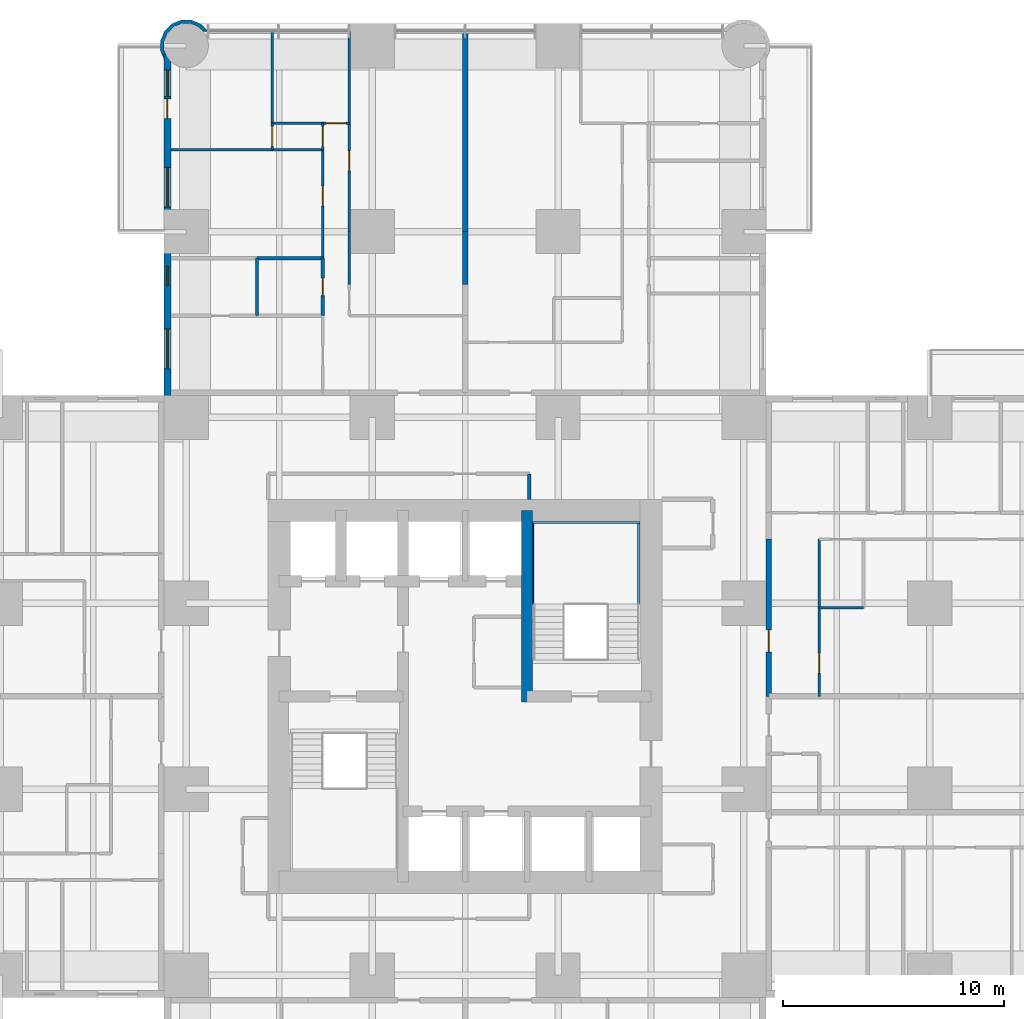
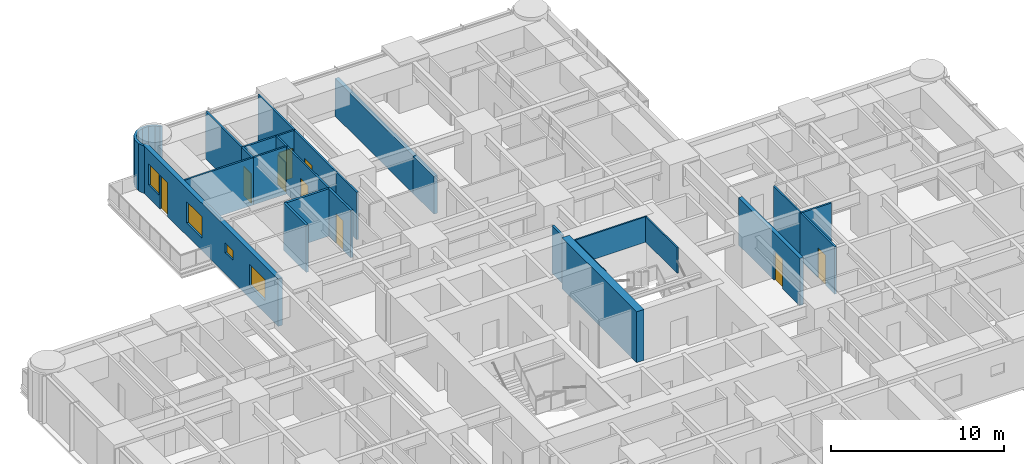
# One storey, part 13 of 17: 27 walls, 9 doors, 4 windows, 13 openings.
"""IFC4 building model written with IfcOpenShell, lengths in metres."""

from ifc_helpers import new_model, si_unit, direction, frame, frame_2d, origin, place, context, subcontext, project, spatial, polyline, rectangle, outline, extrude, material, layer, layer_set, type_object, element, fill, save


model = new_model("IFC4")

# Units and contexts
model_context = context("Model", 3, precision=1e-05, world=origin(), true_north=direction((0.0, 1.0)))
body_context = subcontext(model_context, "Body", "Model", "MODEL_VIEW")
ifc_project = project(units=[si_unit("LENGTHUNIT", "METRE"), si_unit("AREAUNIT", "SQUARE_METRE"), si_unit("VOLUMEUNIT", "CUBIC_METRE"), si_unit("PLANEANGLEUNIT", "RADIAN"), si_unit("MASSUNIT", "GRAM", prefix="KILO")], contexts=[model_context])

# Site, building, storey
site_placement = place(None, origin())
site = spatial("IfcSite", under=ifc_project, at=site_placement, CompositionType="ELEMENT")
building_placement = place(site_placement, origin())
building = spatial("IfcBuilding", under=site, at=building_placement, Name="Torre Alcanfor", CompositionType="ELEMENT")
storey_placement = place(building_placement, frame((0.0, 0.0, 99.300048828125)))
storey = spatial("IfcBuildingStorey", under=building, at=storey_placement, Name="L25", CompositionType="ELEMENT", Elevation=99.300048828125)

# Wall, opening, door
ifc_material_1 = material(Name="Concrete block masonry, hollow blocks NMX-C-404 9 MPa", Category="masonry")
ifc_layer_1 = layer(ifc_material_1, 0.25)
ifc_layer_set_1 = layer_set([ifc_layer_1], Name="Apartment entrance wall 250 EI 60")
wall_type_1 = type_object("IfcWallType", Name="Apartment entrance wall 250 EI 60", PredefinedType="PARTITIONING", material=ifc_layer_set_1)
wall_1_placement = place(storey_placement, frame((43.125, 36.5, 0.0), z_axis=(0.0, 0.0, 1.0), x_axis=(0.0, -1.0, 0.0)))
wall_1 = element("IfcWall", 1, at=wall_1_placement, inside=storey, type_object=wall_type_1, Name="Partition L25-CORR / L25-E1-ZAG", PredefinedType="PARTITIONING", context=body_context, shape_type="SweptSolid", body=[
    extrude(rectangle(XDim=7.10009765625, YDim=0.25, at=frame_2d((3.550048828125, 0.0))), origin(), (0.0, 0.0, 1.0), 3.349853515625),
])
opening_1_placement = place(wall_1_placement, frame((4.10009765625, 0.0, 0.0)))
opening_1 = element("IfcOpeningElement", 2, at=opening_1_placement, cuts=wall_1, Name="Opening D-A1", PredefinedType="OPENING", context=body_context, shape_type="SweptSolid", body=[
    extrude(rectangle(XDim=1.0, YDim=2.10009765625, at=frame_2d((0.5, 1.050048828125))), frame((0.0, 0.135009765625, 0.0), z_axis=(0.0, -1.0, 0.0), x_axis=(1.0, 0.0, 0.0)), (0.0, 0.0, 1.0), 0.27001953125),
])
ifc_material_2 = material(Name="Galvanised steel sheet ASTM A653", Category="steel")
door_type_1 = type_object("IfcDoorType", Name="Apartment entrance door FD60 1000x2100", OperationType="SINGLE_SWING_LEFT", PredefinedType="DOOR", material=ifc_material_2)
door_1_placement = place(opening_1_placement, origin())
door_1 = element("IfcDoor", 3, at=door_1_placement, inside=storey, type_object=door_type_1, Name="Apartment entrance L25-E1", OperationType="SINGLE_SWING_RIGHT", OverallHeight=2.10009765625, OverallWidth=1.0, PredefinedType="DOOR", context=body_context, shape_type="SweptSolid", body=[
    extrude(rectangle(XDim=1.0, YDim=2.10009765625, at=frame_2d((0.5, 1.050048828125))), frame((0.0, 0.02490234375, 0.0), z_axis=(0.0, -1.0, 0.0), x_axis=(1.0, 0.0, 0.0)), (0.0, 0.0, 1.0), 0.050048828125),
])
fill(opening_1, door_1)

# Wall
ifc_material_3 = material(Name="Gypsum board on steel studs", Category="steel")
ifc_layer_2 = layer(ifc_material_3, 0.1201171875)
ifc_layer_set_2 = layer_set([ifc_layer_2], Name="Apartment partition 120")
wall_type_2 = type_object("IfcWallType", Name="Apartment partition 120", PredefinedType="PARTITIONING", material=ifc_layer_set_2)
wall_2_placement = place(storey_placement, frame((24.1708984375, 50.39990234375, 0.0), z_axis=(0.0, 0.0, 1.0), x_axis=(0.0, -1.0, 0.0)))
element("IfcWall", 4, at=wall_2_placement, inside=storey, type_object=wall_type_2, Name="Partition L25-N1-KITCHEN / L25-N1-HALL", PredefinedType="PARTITIONING", context=body_context, shape_type="SweptSolid", body=[
    extrude(rectangle(XDim=2.39990234375, YDim=0.1201171875, at=frame_2d((1.199951171875, 0.0))), origin(), (0.0, 0.0, 1.0), 3.349853515625),
])

# Wall, opening, door
wall_3_placement = place(storey_placement, frame((24.1708984375, 55.300048828125, 0.0), z_axis=(0.0, 0.0, 1.0), x_axis=(0.0, -1.0, 0.0)))
wall_3 = element("IfcWall", 5, at=wall_3_placement, inside=storey, type_object=wall_type_2, Name="Partition L25-N1-LIVING / L25-N1-HALL", PredefinedType="PARTITIONING", context=body_context, shape_type="SweptSolid", body=[
    extrude(rectangle(XDim=4.900146484375, YDim=0.1201171875, at=frame_2d((2.4501953125, 0.0))), origin(), (0.0, 0.0, 1.0), 3.349853515625),
])
opening_2_placement = place(wall_3_placement, frame((1.25, 0.0, 0.0)))
opening_2 = element("IfcOpeningElement", 6, at=opening_2_placement, cuts=wall_3, Name="Opening D-R1", PredefinedType="OPENING", context=body_context, shape_type="SweptSolid", body=[
    extrude(rectangle(XDim=0.89990234375, YDim=2.10009765625, at=frame_2d((0.449951171875, 1.050048828125))), frame((0.0, 0.070068359375, 0.0), z_axis=(0.0, -1.0, 0.0), x_axis=(1.0, 0.0, 0.0)), (0.0, 0.0, 1.0), 0.14013671875),
])
ifc_material_4 = material(Name="Timber", Category="wood")
door_type_2 = type_object("IfcDoorType", Name="Internal door 900x2100", OperationType="SINGLE_SWING_LEFT", PredefinedType="DOOR", material=ifc_material_4)
door_2_placement = place(opening_2_placement, origin())
door_2 = element("IfcDoor", 7, at=door_2_placement, inside=storey, type_object=door_type_2, Name="Door L25-N1 living", OperationType="SINGLE_SWING_RIGHT", OverallHeight=2.10009765625, OverallWidth=0.89990234375, PredefinedType="DOOR", context=body_context, shape_type="SweptSolid", body=[
    extrude(rectangle(XDim=0.89990234375, YDim=2.10009765625, at=frame_2d((0.449951171875, 1.050048828125))), frame((0.0, 0.02490234375, 0.0), z_axis=(0.0, -1.0, 0.0), x_axis=(1.0, 0.0, 0.0)), (0.0, 0.0, 1.0), 0.050048828125),
])
fill(opening_2, door_2)

# Wall
wall_4_placement = place(storey_placement, frame((24.1708984375, 59.449951171875, 0.0), z_axis=(0.0, 0.0, 1.0), x_axis=(0.0, -1.0, 0.0)))
element("IfcWall", 8, at=wall_4_placement, inside=storey, type_object=wall_type_2, Name="Partition L25-N1-LIVING / L25-N1-BED2", PredefinedType="PARTITIONING", context=body_context, shape_type="SweptSolid", body=[
    extrude(rectangle(XDim=4.14990234375, YDim=0.1201171875, at=frame_2d((2.074951171875, 0.0))), origin(), (0.0, 0.0, 1.0), 3.349853515625),
])

# Wall, opening, door
wall_5_placement = place(storey_placement, frame((22.970947265625, 54.10009765625, 0.0), z_axis=(0.0, 0.0, 1.0), x_axis=(0.0, -1.0, 0.0)))
wall_5 = element("IfcWall", 9, at=wall_5_placement, inside=storey, type_object=wall_type_2, Name="Partition L25-N1-HALL / L25-N1-BED3", PredefinedType="PARTITIONING", context=body_context, shape_type="SweptSolid", body=[
    extrude(rectangle(XDim=4.900146484375, YDim=0.1201171875, at=frame_2d((2.4501953125, 0.0))), origin(), (0.0, 0.0, 1.0), 3.349853515625),
])
opening_3_placement = place(wall_5_placement, frame((1.64990234375, 0.0, 0.0)))
opening_3 = element("IfcOpeningElement", 10, at=opening_3_placement, cuts=wall_5, Name="Opening D-R1", PredefinedType="OPENING", context=body_context, shape_type="SweptSolid", body=[
    extrude(rectangle(XDim=0.89990234375, YDim=2.10009765625, at=frame_2d((0.449951171875, 1.050048828125))), frame((0.0, 0.070068359375, 0.0), z_axis=(0.0, -1.0, 0.0), x_axis=(1.0, 0.0, 0.0)), (0.0, 0.0, 1.0), 0.14013671875),
])
door_3_placement = place(opening_3_placement, frame((0.89990234375, 0.0, 0.0), z_axis=(0.0, 0.0, 1.0), x_axis=(-1.0, 0.0, 0.0)))
door_3 = element("IfcDoor", 11, at=door_3_placement, inside=storey, type_object=door_type_2, Name="Door L25-N1 bed3", OperationType="SINGLE_SWING_RIGHT", OverallHeight=2.10009765625, OverallWidth=0.89990234375, PredefinedType="DOOR", context=body_context, shape_type="SweptSolid", body=[
    extrude(rectangle(XDim=0.89990234375, YDim=2.10009765625, at=frame_2d((0.449951171875, 1.050048828125))), frame((0.0, 0.025146484375, 0.0), z_axis=(0.0, -1.0, 0.0), x_axis=(1.0, 0.0, 0.0)), (0.0, 0.0, 1.0), 0.050048828125),
])
fill(opening_3, door_3)

wall_6_placement = place(storey_placement, frame((22.970947265625, 55.300048828125, 0.0), z_axis=(0.0, 0.0, 1.0), x_axis=(0.0, -1.0, 0.0)))
wall_6 = element("IfcWall", 12, at=wall_6_placement, inside=storey, type_object=wall_type_2, Name="Partition L25-N1-HALL / L25-N1-VEST", PredefinedType="PARTITIONING", context=body_context, shape_type="SweptSolid", body=[
    extrude(rectangle(XDim=1.199951171875, YDim=0.1201171875, at=frame_2d((0.60009765625, 0.0))), origin(), (0.0, 0.0, 1.0), 3.349853515625),
])
opening_4_placement = place(wall_6_placement, frame((0.14990234375, 0.0, 0.0)))
opening_4 = element("IfcOpeningElement", 13, at=opening_4_placement, cuts=wall_6, Name="Opening D-R1", PredefinedType="OPENING", context=body_context, shape_type="SweptSolid", body=[
    extrude(rectangle(XDim=0.89990234375, YDim=2.10009765625, at=frame_2d((0.449951171875, 1.050048828125))), frame((0.0, 0.070068359375, 0.0), z_axis=(0.0, -1.0, 0.0), x_axis=(1.0, 0.0, 0.0)), (0.0, 0.0, 1.0), 0.14013671875),
])
door_4_placement = place(opening_4_placement, frame((0.89990234375, 0.0, 0.0), z_axis=(0.0, 0.0, 1.0), x_axis=(-1.0, 0.0, 0.0)))
door_4 = element("IfcDoor", 14, at=door_4_placement, inside=storey, type_object=door_type_2, Name="Door L25-N1 vest", OperationType="SINGLE_SWING_RIGHT", OverallHeight=2.10009765625, OverallWidth=0.89990234375, PredefinedType="DOOR", context=body_context, shape_type="SweptSolid", body=[
    extrude(rectangle(XDim=0.89990234375, YDim=2.10009765625, at=frame_2d((0.449951171875, 1.050048828125))), frame((0.0, 0.025146484375, 0.0), z_axis=(0.0, -1.0, 0.0), x_axis=(1.0, 0.0, 0.0)), (0.0, 0.0, 1.0), 0.050048828125),
])
fill(opening_4, door_4)

wall_7_placement = place(storey_placement, frame((24.1708984375, 55.300048828125, 0.0), z_axis=(0.0, 0.0, 1.0), x_axis=(-1.0, 0.0, 0.0)))
wall_7 = element("IfcWall", 15, at=wall_7_placement, inside=storey, type_object=wall_type_2, Name="Partition L25-N1-HALL / L25-N1-BED2", PredefinedType="PARTITIONING", context=body_context, shape_type="SweptSolid", body=[
    extrude(rectangle(XDim=1.199951171875, YDim=0.1201171875, at=frame_2d((0.60009765625, 0.0))), origin(), (0.0, 0.0, 1.0), 3.349853515625),
])
opening_5_placement = place(wall_7_placement, frame((0.15087890625, 0.0, 0.0)))
opening_5 = element("IfcOpeningElement", 16, at=opening_5_placement, cuts=wall_7, Name="Opening D-R1", PredefinedType="OPENING", context=body_context, shape_type="SweptSolid", body=[
    extrude(rectangle(XDim=0.89990234375, YDim=2.10009765625, at=frame_2d((0.449951171875, 1.050048828125))), frame((0.0, 0.070068359375, 0.0), z_axis=(0.0, -1.0, 0.0), x_axis=(1.0, 0.0, 0.0)), (0.0, 0.0, 1.0), 0.14013671875),
])
door_5_placement = place(opening_5_placement, frame((0.89990234375, 0.0, 0.0), z_axis=(0.0, 0.0, 1.0), x_axis=(-1.0, 0.0, 0.0)))
door_5 = element("IfcDoor", 17, at=door_5_placement, inside=storey, type_object=door_type_2, Name="Door L25-N1 bed2", OperationType="SINGLE_SWING_RIGHT", OverallHeight=2.10009765625, OverallWidth=0.89990234375, PredefinedType="DOOR", context=body_context, shape_type="SweptSolid", body=[
    extrude(rectangle(XDim=0.89990234375, YDim=2.10009765625, at=frame_2d((0.449951171875, 1.050048828125))), frame((0.0, 0.025146484375, 0.0), z_axis=(0.0, -1.0, 0.0), x_axis=(1.0, 0.0, 0.0)), (0.0, 0.0, 1.0), 0.050048828125),
])
fill(opening_5, door_5)

# Walls
wall_8_placement = place(storey_placement, frame((22.970947265625, 54.10009765625, 0.0), z_axis=(0.0, 0.0, 1.0), x_axis=(-1.0, 0.0, 0.0)))
element("IfcWall", 18, at=wall_8_placement, inside=storey, type_object=wall_type_2, Name="Partition L25-N1-BED3 / L25-N1-VEST", PredefinedType="PARTITIONING", context=body_context, shape_type="SweptSolid", body=[
    extrude(rectangle(XDim=2.284912109375, YDim=0.1201171875, at=frame_2d((1.142578125, 0.0))), origin(), (0.0, 0.0, 1.0), 3.349853515625),
])
wall_9_placement = place(storey_placement, frame((20.68603515625, 54.10009765625, 0.0), z_axis=(0.0, 0.0, 1.0), x_axis=(-1.0, 0.0, 0.0)))
element("IfcWall", 19, at=wall_9_placement, inside=storey, type_object=wall_type_2, Name="Partition L25-N1-BED3 / L25-N1-MASTER", PredefinedType="PARTITIONING", context=body_context, shape_type="SweptSolid", body=[
    extrude(rectangle(XDim=4.5859375, YDim=0.1201171875, at=frame_2d((2.29296875, 0.0))), origin(), (0.0, 0.0, 1.0), 3.349853515625),
])
wall_10_placement = place(storey_placement, frame((22.970947265625, 55.300048828125, 0.0), z_axis=(0.0, 0.0, 1.0), x_axis=(-1.0, 0.0, 0.0)))
element("IfcWall", 20, at=wall_10_placement, inside=storey, type_object=wall_type_2, Name="Partition L25-N1-VEST / L25-N1-BED2", PredefinedType="PARTITIONING", context=body_context, shape_type="SweptSolid", body=[
    extrude(rectangle(XDim=2.284912109375, YDim=0.1201171875, at=frame_2d((1.142578125, 0.0))), origin(), (0.0, 0.0, 1.0), 3.349853515625),
])

# Wall, opening, door
wall_11_placement = place(storey_placement, frame((20.68603515625, 55.300048828125, 0.0), z_axis=(0.0, 0.0, 1.0), x_axis=(0.0, -1.0, 0.0)))
wall_11 = element("IfcWall", 21, at=wall_11_placement, inside=storey, type_object=wall_type_2, Name="Partition L25-N1-VEST / L25-N1-MASTER", PredefinedType="PARTITIONING", context=body_context, shape_type="SweptSolid", body=[
    extrude(rectangle(XDim=1.199951171875, YDim=0.1201171875, at=frame_2d((0.60009765625, 0.0))), origin(), (0.0, 0.0, 1.0), 3.349853515625),
])
opening_6_placement = place(wall_11_placement, frame((0.14990234375, 0.0, 0.0)))
opening_6 = element("IfcOpeningElement", 22, at=opening_6_placement, cuts=wall_11, Name="Opening D-R1", PredefinedType="OPENING", context=body_context, shape_type="SweptSolid", body=[
    extrude(rectangle(XDim=0.89990234375, YDim=2.10009765625, at=frame_2d((0.449951171875, 1.050048828125))), frame((0.0, 0.070068359375, 0.0), z_axis=(0.0, -1.0, 0.0), x_axis=(1.0, 0.0, 0.0)), (0.0, 0.0, 1.0), 0.14013671875),
])
door_6_placement = place(opening_6_placement, origin())
door_6 = element("IfcDoor", 23, at=door_6_placement, inside=storey, type_object=door_type_2, Name="Door L25-N1 master", OperationType="SINGLE_SWING_LEFT", OverallHeight=2.10009765625, OverallWidth=0.89990234375, PredefinedType="DOOR", context=body_context, shape_type="SweptSolid", body=[
    extrude(rectangle(XDim=0.89990234375, YDim=2.10009765625, at=frame_2d((0.449951171875, 1.050048828125))), frame((0.0, 0.02490234375, 0.0), z_axis=(0.0, -1.0, 0.0), x_axis=(1.0, 0.0, 0.0)), (0.0, 0.0, 1.0), 0.050048828125),
])
fill(opening_6, door_6)

# Wall
wall_12_placement = place(storey_placement, frame((20.68603515625, 59.449951171875, 0.0), z_axis=(0.0, 0.0, 1.0), x_axis=(0.0, -1.0, 0.0)))
element("IfcWall", 24, at=wall_12_placement, inside=storey, type_object=wall_type_2, Name="Partition L25-N1-BED2 / L25-N1-MASTER", PredefinedType="PARTITIONING", context=body_context, shape_type="SweptSolid", body=[
    extrude(rectangle(XDim=4.14990234375, YDim=0.1201171875, at=frame_2d((2.074951171875, 0.0))), origin(), (0.0, 0.0, 1.0), 3.349853515625),
])

# Wall, opening, door
wall_13_placement = place(storey_placement, frame((45.39990234375, 29.39990234375, 0.0), z_axis=(0.0, 0.0, 1.0), x_axis=(0.0, 1.0, 0.0)))
wall_13 = element("IfcWall", 25, at=wall_13_placement, inside=storey, type_object=wall_type_2, Name="Partition L25-E1-ZAG / L25-E1-KITCHEN", PredefinedType="PARTITIONING", context=body_context, shape_type="SweptSolid", body=[
    extrude(rectangle(XDim=4.0, YDim=0.1201171875, at=frame_2d((2.0, 0.0))), origin(), (0.0, 0.0, 1.0), 3.349853515625),
])
opening_7_placement = place(wall_13_placement, frame((1.050048828125, 0.0, 0.0)))
opening_7 = element("IfcOpeningElement", 26, at=opening_7_placement, cuts=wall_13, Name="Opening D-R1", PredefinedType="OPENING", context=body_context, shape_type="SweptSolid", body=[
    extrude(rectangle(XDim=0.89990234375, YDim=2.10009765625, at=frame_2d((0.449951171875, 1.050048828125))), frame((0.0, 0.070068359375, 0.0), z_axis=(0.0, -1.0, 0.0), x_axis=(1.0, 0.0, 0.0)), (0.0, 0.0, 1.0), 0.14013671875),
])
door_7_placement = place(opening_7_placement, frame((0.89990234375, 0.0, 0.0), z_axis=(0.0, 0.0, 1.0), x_axis=(-1.0, 0.0, 0.0)))
door_7 = element("IfcDoor", 27, at=door_7_placement, inside=storey, type_object=door_type_2, Name="Door L25-E1 kitchen", OperationType="SINGLE_SWING_RIGHT", OverallHeight=2.10009765625, OverallWidth=0.89990234375, PredefinedType="DOOR", context=body_context, shape_type="SweptSolid", body=[
    extrude(rectangle(XDim=0.89990234375, YDim=2.10009765625, at=frame_2d((0.449951171875, 1.050048828125))), frame((0.0, 0.025146484375, 0.0), z_axis=(0.0, -1.0, 0.0), x_axis=(1.0, 0.0, 0.0)), (0.0, 0.0, 1.0), 0.050048828125),
])
fill(opening_7, door_7)

# Walls
wall_14_placement = place(storey_placement, frame((45.39990234375, 33.39990234375, 0.0), z_axis=(0.0, 0.0, 1.0), x_axis=(0.0, 1.0, 0.0)))
element("IfcWall", 28, at=wall_14_placement, inside=storey, type_object=wall_type_2, Name="Partition L25-E1-ZAG / L25-E1-UTIL", PredefinedType="PARTITIONING", context=body_context, shape_type="SweptSolid", body=[
    extrude(rectangle(XDim=3.10009765625, YDim=0.1201171875, at=frame_2d((1.550048828125, 0.0))), origin(), (0.0, 0.0, 1.0), 3.349853515625),
])
wall_15_placement = place(storey_placement, frame((45.39990234375, 33.39990234375, 0.0), z_axis=(0.0, 0.0, 1.0), x_axis=(1.0, 0.0, 0.0)))
element("IfcWall", 29, at=wall_15_placement, inside=storey, type_object=wall_type_2, Name="Partition L25-E1-KITCHEN / L25-E1-UTIL", PredefinedType="PARTITIONING", context=body_context, shape_type="SweptSolid", body=[
    extrude(rectangle(XDim=2.0, YDim=0.1201171875, at=frame_2d((1.0, 0.0))), origin(), (0.0, 0.0, 1.0), 3.349853515625),
])
ifc_material_5 = material(Name="Concrete f'c 70 MPa", Category="concrete")
ifc_layer_3 = layer(ifc_material_5, 0.5)
ifc_layer_set_3 = layer_set([ifc_layer_3], Name="Core inner wall 500 f'c70")
wall_type_3 = type_object("IfcWallType", Name="Core inner wall 500 f'c70", PredefinedType="SHEAR", material=ifc_layer_set_3)
wall_16_placement = place(storey_placement, frame((32.199951171875, 29.14990234375, 0.0), z_axis=(0.0, 0.0, 1.0), x_axis=(0.0, 1.0, 0.0)))
element("IfcWall", 30, at=wall_16_placement, inside=storey, type_object=wall_type_3, Name="Core wall X322N L25", PredefinedType="SHEAR", context=body_context, shape_type="SweptSolid", body=[
    extrude(rectangle(XDim=8.650146484375, YDim=0.5, at=frame_2d((4.3251953125, 0.0))), origin(), (0.0, 0.0, 1.0), 3.599853515625),
])

# Wall, openings, door, windows
ifc_material_6 = material(Name="Limestone cladding", Category="masonry")
ifc_layer_4 = layer(ifc_material_6, 0.0400390625, Name="Facing")
ifc_material_7 = material(Name="Ventilated air cavity")
ifc_layer_5 = layer(ifc_material_7, 0.02001953125, ventilated=True, Name="Ventilated joint")
ifc_material_8 = material(Name="Mineral wool insulation", Category="insulation")
ifc_layer_6 = layer(ifc_material_8, 0.10009765625, Name="Insulation")
ifc_material_9 = material(Name="Concrete f'c 35 MPa", Category="concrete")
ifc_layer_7 = layer(ifc_material_9, 0.139892578125, Name="Backing")
ifc_layer_set_4 = layer_set([ifc_layer_4, ifc_layer_5, ifc_layer_6, ifc_layer_7], Name="External wall stone-clad 300")
wall_type_4 = type_object("IfcWallType", Name="External wall stone-clad 300", PredefinedType="SOLIDWALL", material=ifc_layer_set_4)
wall_17_placement = place(storey_placement, frame((15.949951171875, 58.39990234375, 0.0), z_axis=(0.0, 0.0, 1.0), x_axis=(0.0, -1.0, 0.0)))
wall_17 = element("IfcWall", 31, at=wall_17_placement, inside=storey, type_object=wall_type_4, Name="External wall L25 12", PredefinedType="SOLIDWALL", context=body_context, shape_type="SweptSolid", body=[
    extrude(rectangle(XDim=15.699951171875, YDim=0.300048828125, at=frame_2d((7.85009765625, 0.0))), origin(), (0.0, 0.0, 1.0), 3.349853515625),
])
opening_8_placement = place(wall_17_placement, frame((12.39990234375, 0.0, 0.89990234375)))
opening_8 = element("IfcOpeningElement", 32, at=opening_8_placement, cuts=wall_17, Name="Opening W2", PredefinedType="OPENING", context=body_context, shape_type="SweptSolid", body=[
    extrude(rectangle(XDim=1.800048828125, YDim=1.5, at=frame_2d((0.89990234375, 0.75))), frame((0.0, 0.159912109375, 0.0), z_axis=(0.0, -1.0, 0.0), x_axis=(1.0, 0.0, 0.0)), (0.0, 0.0, 1.0), 0.320068359375),
])
opening_9_placement = place(wall_17_placement, frame((9.550048828125, 0.0, 1.5)))
opening_9 = element("IfcOpeningElement", 33, at=opening_9_placement, cuts=wall_17, Name="Opening W3", PredefinedType="OPENING", context=body_context, shape_type="SweptSolid", body=[
    extrude(rectangle(XDim=0.89990234375, YDim=0.699951171875, at=frame_2d((0.449951171875, 0.35009765625))), frame((0.0, 0.159912109375, 0.0), z_axis=(0.0, -1.0, 0.0), x_axis=(1.0, 0.0, 0.0)), (0.0, 0.0, 1.0), 0.320068359375),
])
opening_10_placement = place(wall_17_placement, frame((5.10009765625, 0.0, 0.89990234375)))
opening_10 = element("IfcOpeningElement", 34, at=opening_10_placement, cuts=wall_17, Name="Opening W2", PredefinedType="OPENING", context=body_context, shape_type="SweptSolid", body=[
    extrude(rectangle(XDim=1.800048828125, YDim=1.5, at=frame_2d((0.89990234375, 0.75))), frame((0.0, 0.159912109375, 0.0), z_axis=(0.0, -1.0, 0.0), x_axis=(1.0, 0.0, 0.0)), (0.0, 0.0, 1.0), 0.320068359375),
])
opening_11_placement = place(wall_17_placement, frame((2.0, 0.0, 0.0)))
opening_11 = element("IfcOpeningElement", 35, at=opening_11_placement, cuts=wall_17, Name="Opening D-B1", PredefinedType="OPENING", context=body_context, shape_type="SweptSolid", body=[
    extrude(rectangle(XDim=0.89990234375, YDim=2.39990234375, at=frame_2d((0.449951171875, 1.199951171875))), frame((0.0, 0.159912109375, 0.0), z_axis=(0.0, -1.0, 0.0), x_axis=(1.0, 0.0, 0.0)), (0.0, 0.0, 1.0), 0.320068359375),
])
opening_12_placement = place(wall_17_placement, frame((0.699951171875, 0.0, 0.89990234375)))
opening_12 = element("IfcOpeningElement", 36, at=opening_12_placement, cuts=wall_17, Name="Opening W4", PredefinedType="OPENING", context=body_context, shape_type="SweptSolid", body=[
    extrude(rectangle(XDim=1.199951171875, YDim=1.5, at=frame_2d((0.60009765625, 0.75))), frame((0.0, 0.159912109375, 0.0), z_axis=(0.0, -1.0, 0.0), x_axis=(1.0, 0.0, 0.0)), (0.0, 0.0, 1.0), 0.320068359375),
])
ifc_material_10 = material(Name="Aluminium and glass", Category="aluminium")
door_type_3 = type_object("IfcDoorType", Name="Balcony door glazed 900x2400", OperationType="SINGLE_SWING_LEFT", PredefinedType="DOOR", material=ifc_material_10)
door_8_placement = place(opening_11_placement, origin())
door_8 = element("IfcDoor", 37, at=door_8_placement, inside=storey, type_object=door_type_3, Name="Balcony door L25-N1", OperationType="SINGLE_SWING_RIGHT", OverallHeight=2.39990234375, OverallWidth=0.89990234375, PredefinedType="DOOR", context=body_context, shape_type="SweptSolid", body=[
    extrude(rectangle(XDim=0.89990234375, YDim=2.39990234375, at=frame_2d((0.449951171875, 1.199951171875))), frame((0.0, 0.02490234375, 0.0), z_axis=(0.0, -1.0, 0.0), x_axis=(1.0, 0.0, 0.0)), (0.0, 0.0, 1.0), 0.050048828125),
])
fill(opening_11, door_8)
ifc_material_11 = material(Name="Aluminium frame with clear double glazing", Category="aluminium")
window_type_1 = type_object("IfcWindowType", Name="Window bathroom 900x700", PartitioningType="SINGLE_PANEL", PredefinedType="WINDOW", material=ifc_material_11)
window_1_placement = place(opening_9_placement, origin())
window_1 = element("IfcWindow", 38, at=window_1_placement, inside=storey, type_object=window_type_1, Name="Window W3 L25-N1", OverallHeight=0.699951171875, OverallWidth=0.89990234375, PartitioningType="SINGLE_PANEL", PredefinedType="WINDOW", context=body_context, shape_type="SweptSolid", body=[
    extrude(rectangle(XDim=0.89990234375, YDim=0.699951171875, at=frame_2d((0.449951171875, 0.35009765625))), frame((0.0, 0.030029296875, 0.0), z_axis=(0.0, -1.0, 0.0), x_axis=(1.0, 0.0, 0.0)), (0.0, 0.0, 1.0), 0.06005859375),
])
fill(opening_9, window_1)
ifc_material_12 = material(Name="Aluminium frame with clear double glazing", Category="aluminium")
window_type_2 = type_object("IfcWindowType", Name="Window bedroom 1200x1500", PartitioningType="SINGLE_PANEL", PredefinedType="WINDOW", material=ifc_material_12)
window_2_placement = place(opening_12_placement, origin())
window_2 = element("IfcWindow", 39, at=window_2_placement, inside=storey, type_object=window_type_2, Name="Window W4 L25-N1", OverallHeight=1.5, OverallWidth=1.199951171875, PartitioningType="SINGLE_PANEL", PredefinedType="WINDOW", context=body_context, shape_type="SweptSolid", body=[
    extrude(rectangle(XDim=1.199951171875, YDim=1.5, at=frame_2d((0.60009765625, 0.75))), frame((0.0, 0.030029296875, 0.0), z_axis=(0.0, -1.0, 0.0), x_axis=(1.0, 0.0, 0.0)), (0.0, 0.0, 1.0), 0.06005859375),
])
fill(opening_12, window_2)
ifc_material_13 = material(Name="Aluminium frame with clear double glazing", Category="aluminium")
window_type_3 = type_object("IfcWindowType", Name="Window bedroom 1800x1500", PartitioningType="SINGLE_PANEL", PredefinedType="WINDOW", material=ifc_material_13)
window_3_placement = place(opening_8_placement, origin())
window_3 = element("IfcWindow", 40, at=window_3_placement, inside=storey, type_object=window_type_3, Name="Window W2 L25-N1", OverallHeight=1.5, OverallWidth=1.800048828125, PartitioningType="SINGLE_PANEL", PredefinedType="WINDOW", context=body_context, shape_type="SweptSolid", body=[
    extrude(rectangle(XDim=1.800048828125, YDim=1.5, at=frame_2d((0.89990234375, 0.75))), frame((0.0, 0.030029296875, 0.0), z_axis=(0.0, -1.0, 0.0), x_axis=(1.0, 0.0, 0.0)), (0.0, 0.0, 1.0), 0.06005859375),
])
fill(opening_8, window_3)
window_4_placement = place(opening_10_placement, origin())
window_4 = element("IfcWindow", 41, at=window_4_placement, inside=storey, type_object=window_type_3, Name="Window W2 L25-N1", OverallHeight=1.5, OverallWidth=1.800048828125, PartitioningType="SINGLE_PANEL", PredefinedType="WINDOW", context=body_context, shape_type="SweptSolid", body=[
    extrude(rectangle(XDim=1.800048828125, YDim=1.5, at=frame_2d((0.89990234375, 0.75))), frame((0.0, 0.030029296875, 0.0), z_axis=(0.0, -1.0, 0.0), x_axis=(1.0, 0.0, 0.0)), (0.0, 0.0, 1.0), 0.06005859375),
])
fill(opening_10, window_4)

# Walls
ifc_material_14 = material(Name="Concrete block masonry, hollow blocks NMX-C-404 9 MPa", Category="masonry")
ifc_layer_8 = layer(ifc_material_14, 0.25)
ifc_layer_set_5 = layer_set([ifc_layer_8], Name="Party wall 250 EI 60")
wall_type_5 = type_object("IfcWallType", Name="Party wall 250 EI 60", PredefinedType="PARTITIONING", material=ifc_layer_set_5)
wall_18_placement = place(storey_placement, frame((29.39990234375, 48.0, 0.0), z_axis=(0.0, 0.0, 1.0), x_axis=(0.0, 1.0, 0.0)))
element("IfcWall", 42, at=wall_18_placement, inside=storey, type_object=wall_type_5, Name="Partition L25-N1-KITCHEN / L25-N2-KITCHEN", PredefinedType="PARTITIONING", context=body_context, shape_type="SweptSolid", body=[
    extrude(rectangle(XDim=2.39990234375, YDim=0.25, at=frame_2d((1.199951171875, 0.0))), origin(), (0.0, 0.0, 1.0), 2.666748046875),
])
wall_19_placement = place(storey_placement, frame((29.39990234375, 50.39990234375, 0.0), z_axis=(0.0, 0.0, 1.0), x_axis=(0.0, 1.0, 0.0)))
element("IfcWall", 43, at=wall_19_placement, inside=storey, type_object=wall_type_5, Name="Partition L25-N1-LIVING / L25-N2-LIVING", PredefinedType="PARTITIONING", context=body_context, shape_type="SweptSolid", body=[
    extrude(rectangle(XDim=9.050048828125, YDim=0.25, at=frame_2d((4.52490234375, 0.0))), origin(), (0.0, 0.0, 1.0), 2.666748046875),
])
ifc_material_15 = material(Name="Concrete block masonry, hollow blocks NMX-C-404 9 MPa", Category="masonry")
ifc_layer_9 = layer(ifc_material_15, 0.14990234375)
ifc_layer_set_6 = layer_set([ifc_layer_9], Name="Residents' room partition 150")
wall_type_6 = type_object("IfcWallType", Name="Residents' room partition 150", PredefinedType="PARTITIONING", material=ifc_layer_set_6)
wall_20_placement = place(storey_placement, frame((32.300048828125, 38.300048828125, 0.0), z_axis=(0.0, 0.0, 1.0), x_axis=(0.0, 1.0, 0.0)))
element("IfcWall", 44, at=wall_20_placement, inside=storey, type_object=wall_type_6, Name="Partition L25-CORR / L25-G01", PredefinedType="PARTITIONING", context=body_context, shape_type="SweptSolid", body=[
    extrude(rectangle(XDim=1.14990234375, YDim=0.14990234375, at=frame_2d((0.574951171875, 0.0))), origin(), (0.0, 0.0, 1.0), 3.349853515625),
])
ifc_layer_10 = layer(ifc_material_6, 0.0400390625, Name="Facing")
ifc_layer_11 = layer(ifc_material_7, 0.02001953125, ventilated=True, Name="Ventilated joint")
ifc_layer_12 = layer(ifc_material_8, 0.10009765625, Name="Insulation")
ifc_layer_13 = layer(ifc_material_9, 0.139892578125, Name="Backing")
ifc_layer_set_7 = layer_set([ifc_layer_10, ifc_layer_11, ifc_layer_12, ifc_layer_13], Name="Rounded corner pier stone-clad 300")
wall_type_7 = type_object("IfcWallType", Name="Rounded corner pier stone-clad 300", PredefinedType="SOLIDWALL", material=ifc_layer_set_7)
wall_21_placement = place(storey_placement, frame((17.667523535, 59.443275148, 0.0), z_axis=(0.0, 0.0, 1.0), x_axis=(-0.555974394895, 0.831199417842, 0.0)))
element("IfcWall", 45, at=wall_21_placement, inside=storey, type_object=wall_type_7, Name="Corner pier L25 20", PredefinedType="SOLIDWALL", context=body_context, shape_type="SweptSolid", body=[
    extrude(outline(polyline([(0.0045565698623167075, -0.09258086434510021), (0.3997791869189833, -0.014165922504253026), (0.7834921929214353, 0.24201198180338268), (1.040033112440672, 0.6255488225558681), (1.1304457317719205, 1.0782038202315294), (1.0404721404447392, 1.5307966396191168), (0.7844299720733572, 1.9147125751669407), (0.4008931313208717, 2.1712534946861775), (-0.00918418363947282, 2.2528659640754904), (0.17101725265058376, 2.1323324526823253), (0.11336050025721733, 2.0663333875976697), (0.338571212236495, 2.0214334953271287), (0.6695493007377139, 1.8000481832975652), (0.8906649013906197, 1.468866091051512), (0.968342062249185, 1.0782490548013453), (0.890416042626995, 0.687735005703991), (0.6690307305974315, 0.35675691720277214), (0.3378486383513782, 0.13564131654986644), (0.06217493630842482, 0.08094571872771597), (-0.03582640966664869, -0.0655694130306409), (0.0045565698623167075, -0.09258086434510021)])), origin(), (0.0, 0.0, 1.0), 3.349853515625),
])
ifc_material_16 = material(Name="Concrete block masonry, hollow blocks NMX-C-404 9 MPa", Category="masonry")
ifc_layer_14 = layer(ifc_material_16, 0.10009765625)
ifc_layer_set_8 = layer_set([ifc_layer_14], Name="Stair lining 100 EI 120")
wall_type_8 = type_object("IfcWallType", Name="Stair lining 100 EI 120", PredefinedType="PARTITIONING", material=ifc_layer_set_8)
wall_22_placement = place(storey_placement, frame((32.449951171875, 37.25, 1.800048828125), z_axis=(0.0, 0.0, 1.0), x_axis=(1.0, 0.0, 0.0)))
element("IfcWall", 46, at=wall_22_placement, inside=storey, type_object=wall_type_8, Name="Stair lining S2 L25 north end", PredefinedType="PARTITIONING", context=body_context, shape_type="SweptSolid", body=[
    extrude(rectangle(XDim=4.85009765625, YDim=0.10009765625, at=frame_2d((2.425048828125, 0.0))), origin(), (0.0, 0.0, 1.0), 1.7998046875),
])
wall_23_placement = place(storey_placement, frame((37.25, 33.570068359375, 1.800048828125), z_axis=(0.0, 0.0, 1.0), x_axis=(0.0, 1.0, 0.0)))
element("IfcWall", 47, at=wall_23_placement, inside=storey, type_object=wall_type_8, Name="Stair lining S2 L25 east side", PredefinedType="PARTITIONING", context=body_context, shape_type="SweptSolid", body=[
    extrude(rectangle(XDim=3.6298828125, YDim=0.10009765625, at=frame_2d((1.81494140625, 0.0))), origin(), (0.0, 0.0, 1.0), 1.7998046875),
])
ifc_material_17 = material(Name="Calcium silicate board", Category="masonry")
ifc_layer_15 = layer(ifc_material_17, 0.050048828125)
ifc_layer_set_9 = layer_set([ifc_layer_15], Name="Stair lining 50 EI 120")
wall_type_9 = type_object("IfcWallType", Name="Stair lining 50 EI 120", PredefinedType="PARTITIONING", material=ifc_layer_set_9)
wall_24_placement = place(storey_placement, frame((32.47509765625, 33.570068359375, 1.800048828125), z_axis=(0.0, 0.0, 1.0), x_axis=(0.0, 1.0, 0.0)))
element("IfcWall", 48, at=wall_24_placement, inside=storey, type_object=wall_type_9, Name="Stair lining S2 L25 west side", PredefinedType="PARTITIONING", context=body_context, shape_type="SweptSolid", body=[
    extrude(rectangle(XDim=3.6298828125, YDim=0.050048828125, at=frame_2d((1.81494140625, 0.0))), origin(), (0.0, 0.0, 1.0), 1.7998046875),
])

# Wall, opening, door
ifc_material_18 = material(Name="Cement board on steel studs", Category="steel")
ifc_layer_16 = layer(ifc_material_18, 0.14990234375)
ifc_layer_set_10 = layer_set([ifc_layer_16], Name="Wet area partition 150")
wall_type_10 = type_object("IfcWallType", Name="Wet area partition 150", PredefinedType="PARTITIONING", material=ifc_layer_set_10)
wall_25_placement = place(storey_placement, frame((22.970947265625, 49.199951171875, 0.0), z_axis=(0.0, 0.0, 1.0), x_axis=(0.0, -1.0, 0.0)))
wall_25 = element("IfcWall", 49, at=wall_25_placement, inside=storey, type_object=wall_type_10, Name="Partition L25-N1-HALL / L25-N1-BATH1", PredefinedType="PARTITIONING", context=body_context, shape_type="SweptSolid", body=[
    extrude(rectangle(XDim=2.599853515625, YDim=0.14990234375, at=frame_2d((1.2998046875, 0.0))), origin(), (0.0, 0.0, 1.0), 3.349853515625),
])
opening_13_placement = place(wall_25_placement, frame((0.89990234375, 0.0, 0.0)))
opening_13 = element("IfcOpeningElement", 50, at=opening_13_placement, cuts=wall_25, Name="Opening D-R2", PredefinedType="OPENING", context=body_context, shape_type="SweptSolid", body=[
    extrude(rectangle(XDim=0.800048828125, YDim=2.10009765625, at=frame_2d((0.39990234375, 1.050048828125))), frame((0.0, 0.0849609375, 0.0), z_axis=(0.0, -1.0, 0.0), x_axis=(1.0, 0.0, 0.0)), (0.0, 0.0, 1.0), 0.169921875),
])
ifc_material_19 = material(Name="Timber", Category="wood")
door_type_4 = type_object("IfcDoorType", Name="Bathroom door 800x2100", OperationType="SINGLE_SWING_LEFT", PredefinedType="DOOR", material=ifc_material_19)
door_9_placement = place(opening_13_placement, frame((0.800048828125, 0.0, 0.0), z_axis=(0.0, 0.0, 1.0), x_axis=(-1.0, 0.0, 0.0)))
door_9 = element("IfcDoor", 51, at=door_9_placement, inside=storey, type_object=door_type_4, Name="Door L25-N1 bath1", OperationType="SINGLE_SWING_RIGHT", OverallHeight=2.10009765625, OverallWidth=0.800048828125, PredefinedType="DOOR", context=body_context, shape_type="SweptSolid", body=[
    extrude(rectangle(XDim=0.800048828125, YDim=2.10009765625, at=frame_2d((0.400146484375, 1.050048828125))), frame((0.0, 0.025146484375, 0.0), z_axis=(0.0, -1.0, 0.0), x_axis=(1.0, 0.0, 0.0)), (0.0, 0.0, 1.0), 0.050048828125),
])
fill(opening_13, door_9)

# Walls
wall_26_placement = place(storey_placement, frame((20.0, 49.199951171875, 0.0), z_axis=(0.0, 0.0, 1.0), x_axis=(0.0, -1.0, 0.0)))
element("IfcWall", 52, at=wall_26_placement, inside=storey, type_object=wall_type_10, Name="Partition L25-N1-BATH1 / L25-N1-SBATH", PredefinedType="PARTITIONING", context=body_context, shape_type="SweptSolid", body=[
    extrude(rectangle(XDim=2.599853515625, YDim=0.14990234375, at=frame_2d((1.2998046875, 0.0))), origin(), (0.0, 0.0, 1.0), 3.349853515625),
])
wall_27_placement = place(storey_placement, frame((22.970947265625, 49.199951171875, 0.0), z_axis=(0.0, 0.0, 1.0), x_axis=(-1.0, 0.0, 0.0)))
element("IfcWall", 53, at=wall_27_placement, inside=storey, type_object=wall_type_10, Name="Partition L25-N1-BATH1 / L25-N1-BED3", PredefinedType="PARTITIONING", context=body_context, shape_type="SweptSolid", body=[
    extrude(rectangle(XDim=2.970947265625, YDim=0.14990234375, at=frame_2d((1.4853515625, 0.0))), origin(), (0.0, 0.0, 1.0), 3.349853515625),
])

save(model, "model.ifc")
